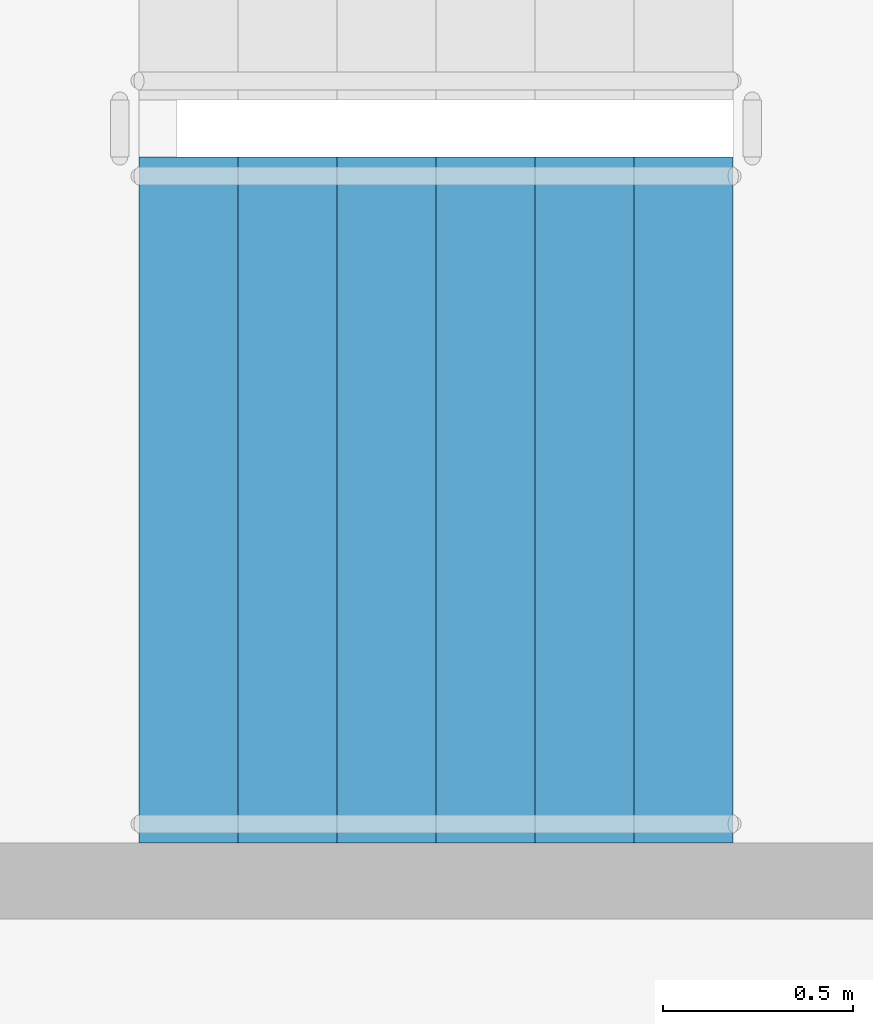
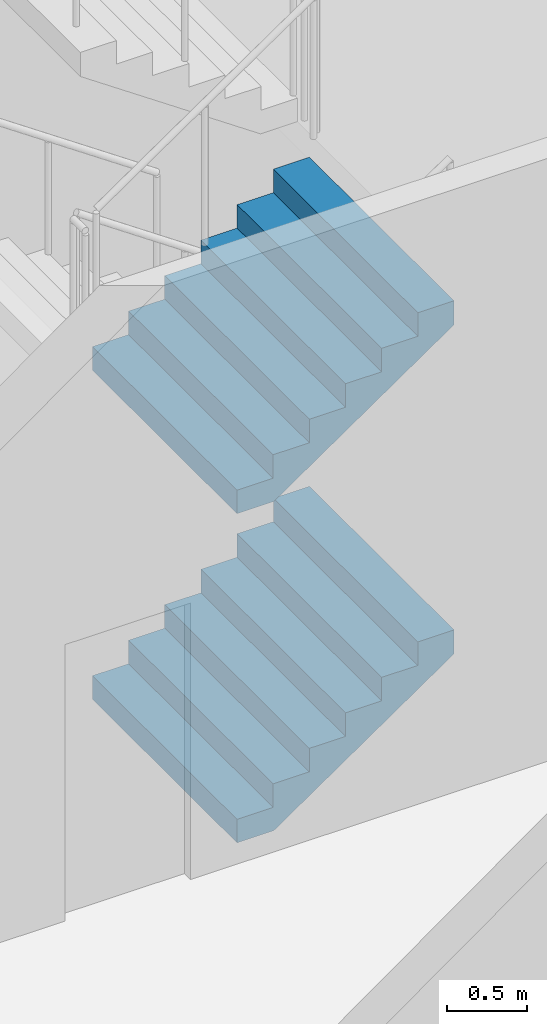
# One storey, part 48 of 59: 2 stair flights, 1 element without a shape of its own.
"""IFC4 building model written with IfcOpenShell, lengths in metres."""

from ifc_helpers import new_model, si_unit, direction, frame, origin, place, context, subcontext, project, spatial, faceted_brep, material, type_object, element, aggregate, save


model = new_model("IFC4")

# Units and contexts
model_context = context("Model", 3, precision=1e-05, world=origin(), true_north=direction((0.0, 1.0)))
body_context = subcontext(model_context, "Body", "Model", "MODEL_VIEW")
ifc_project = project(units=[si_unit("LENGTHUNIT", "METRE"), si_unit("AREAUNIT", "SQUARE_METRE"), si_unit("VOLUMEUNIT", "CUBIC_METRE"), si_unit("PLANEANGLEUNIT", "RADIAN"), si_unit("MASSUNIT", "GRAM", prefix="KILO")], contexts=[model_context])

# Site, building, storey
site_placement = place(None, origin())
site = spatial("IfcSite", under=ifc_project, at=site_placement, CompositionType="ELEMENT")
building_placement = place(site_placement, origin())
building = spatial("IfcBuilding", under=site, at=building_placement, Name="Ipe Terrace Towers", CompositionType="ELEMENT")
storey_placement = place(building_placement, frame((0.0, 0.0, 6.0)))
storey = spatial("IfcBuildingStorey", under=building, at=storey_placement, Name="L01", CompositionType="ELEMENT", Elevation=6.0)

# Stair, stair flights
ifc_material_1 = material(Name="Concrete C30/37", Category="concrete")
stair_type = type_object("IfcStairType", Name="Protected exit stair", PredefinedType="HALF_TURN_STAIR", material=ifc_material_1)
stair_placement = place(storey_placement, origin())
stair = element("IfcStair", 1, at=stair_placement, inside=storey, type_object=stair_type, Name="L01 Podium exit stair PS8", PredefinedType="HALF_TURN_STAIR")
ifc_material_2 = material(Name="Concrete C30/37", Category="concrete")
stair_flight_type = type_object("IfcStairFlightType", Name="Exit stair flight 1800", PredefinedType="STRAIGHT", material=ifc_material_2)
stair_flight_1_placement = place(storey_placement, frame((58.68994140625, 2.5, 0.0), z_axis=(0.0, 0.0, 1.0), x_axis=(1.0, 0.0, 0.0)))
stair_flight_1 = element("IfcStairFlight", 2, at=stair_flight_1_placement, type_object=stair_flight_type, Name="PS8 flight 1", NumberOfRisers=7, NumberOfTreads=6, PredefinedType="STRAIGHT", RiserHeight=0.178571429, TreadLength=0.26, context=body_context, shape_type="Brep", body=[
    faceted_brep([(0.264892578125, -0.89990234375, 0.0), (1.56005859375, -0.89990234375, 0.8896484375), (1.56005859375, -0.89990234375, 1.071533203125), (1.300048828125, -0.89990234375, 1.071533203125), (1.300048828125, -0.89990234375, 0.892822265625), (1.0400390625, -0.89990234375, 0.892822265625), (1.0400390625, -0.89990234375, 0.71435546875), (0.780029296875, -0.89990234375, 0.71435546875), (0.780029296875, -0.89990234375, 0.53564453125), (0.52001953125, -0.89990234375, 0.53564453125), (0.52001953125, -0.89990234375, 0.357177734375), (0.260009765625, -0.89990234375, 0.357177734375), (0.260009765625, -0.89990234375, 0.178466796875), (0.0, -0.89990234375, 0.178466796875), (0.0, -0.89990234375, 0.0), (0.0, 0.89990234375, 0.0), (0.0, 0.89990234375, 0.178466796875), (0.260009765625, 0.89990234375, 0.178466796875), (0.260009765625, 0.89990234375, 0.357177734375), (0.52001953125, 0.89990234375, 0.357177734375), (0.52001953125, 0.89990234375, 0.53564453125), (0.780029296875, 0.89990234375, 0.53564453125), (0.780029296875, 0.89990234375, 0.71435546875), (1.0400390625, 0.89990234375, 0.71435546875), (1.0400390625, 0.89990234375, 0.892822265625), (1.300048828125, 0.89990234375, 0.892822265625), (1.300048828125, 0.89990234375, 1.071533203125), (1.56005859375, 0.89990234375, 1.071533203125), (1.56005859375, 0.89990234375, 0.8896484375), (0.264892578125, 0.89990234375, 0.0), (0.0, -0.300048828125, 0.178466796875), (0.0, -0.1201171875, 0.178466796875), (0.0, -0.06005859375, 0.178466796875), (0.0, -0.030029296875, 0.178466796875), (0.0, -0.010009765625, 0.178466796875), (0.0, 0.0, 0.178466796875), (0.0, 0.010009765625, 0.178466796875), (0.0, 0.030029296875, 0.178466796875), (0.0, 0.06005859375, 0.178466796875), (0.0, 0.1201171875, 0.178466796875), (0.0, 0.300048828125, 0.178466796875), (0.0, 0.300048828125, 0.0), (0.0, 0.1201171875, 0.0), (0.0, 0.06005859375, 0.0), (0.0, 0.030029296875, 0.0), (0.0, 0.010009765625, 0.0), (0.0, 0.0, 0.0), (0.0, -0.010009765625, 0.0), (0.0, -0.030029296875, 0.0), (0.0, -0.06005859375, 0.0), (0.0, -0.1201171875, 0.0), (0.0, -0.300048828125, 0.0), (0.260009765625, -0.300048828125, 0.178466796875), (0.260009765625, -0.1201171875, 0.178466796875), (0.260009765625, -0.06005859375, 0.178466796875), (0.260009765625, -0.030029296875, 0.178466796875), (0.260009765625, -0.010009765625, 0.178466796875), (0.260009765625, 0.0, 0.178466796875), (0.260009765625, 0.010009765625, 0.178466796875), (0.260009765625, 0.030029296875, 0.178466796875), (0.260009765625, 0.06005859375, 0.178466796875), (0.260009765625, 0.1201171875, 0.178466796875), (0.260009765625, 0.300048828125, 0.178466796875), (0.260009765625, -0.300048828125, 0.357177734375), (0.260009765625, -0.1201171875, 0.357177734375), (0.260009765625, -0.06005859375, 0.357177734375), (0.260009765625, -0.030029296875, 0.357177734375), (0.260009765625, -0.010009765625, 0.357177734375), (0.260009765625, 0.0, 0.357177734375), (0.260009765625, 0.010009765625, 0.357177734375), (0.260009765625, 0.030029296875, 0.357177734375), (0.260009765625, 0.06005859375, 0.357177734375), (0.260009765625, 0.1201171875, 0.357177734375), (0.260009765625, 0.300048828125, 0.357177734375), (0.52001953125, -0.300048828125, 0.357177734375), (0.52001953125, -0.1201171875, 0.357177734375), (0.52001953125, -0.06005859375, 0.357177734375), (0.52001953125, -0.030029296875, 0.357177734375), (0.52001953125, -0.010009765625, 0.357177734375), (0.52001953125, 0.0, 0.357177734375), (0.52001953125, 0.010009765625, 0.357177734375), (0.52001953125, 0.030029296875, 0.357177734375), (0.52001953125, 0.06005859375, 0.357177734375), (0.52001953125, 0.1201171875, 0.357177734375), (0.52001953125, 0.300048828125, 0.357177734375), (0.52001953125, -0.300048828125, 0.53564453125), (0.52001953125, -0.1201171875, 0.53564453125), (0.52001953125, -0.06005859375, 0.53564453125), (0.52001953125, -0.030029296875, 0.53564453125), (0.52001953125, -0.010009765625, 0.53564453125), (0.52001953125, 0.0, 0.53564453125), (0.52001953125, 0.010009765625, 0.53564453125), (0.52001953125, 0.030029296875, 0.53564453125), (0.52001953125, 0.06005859375, 0.53564453125), (0.52001953125, 0.1201171875, 0.53564453125), (0.52001953125, 0.300048828125, 0.53564453125), (0.780029296875, -0.300048828125, 0.53564453125), (0.780029296875, -0.1201171875, 0.53564453125), (0.780029296875, -0.06005859375, 0.53564453125), (0.780029296875, -0.030029296875, 0.53564453125), (0.780029296875, -0.010009765625, 0.53564453125), (0.780029296875, 0.0, 0.53564453125), (0.780029296875, 0.010009765625, 0.53564453125), (0.780029296875, 0.030029296875, 0.53564453125), (0.780029296875, 0.06005859375, 0.53564453125), (0.780029296875, 0.1201171875, 0.53564453125), (0.780029296875, 0.300048828125, 0.53564453125), (0.780029296875, -0.300048828125, 0.71435546875), (0.780029296875, -0.1201171875, 0.71435546875), (0.780029296875, -0.06005859375, 0.71435546875), (0.780029296875, -0.030029296875, 0.71435546875), (0.780029296875, -0.010009765625, 0.71435546875), (0.780029296875, 0.0, 0.71435546875), (0.780029296875, 0.010009765625, 0.71435546875), (0.780029296875, 0.030029296875, 0.71435546875), (0.780029296875, 0.06005859375, 0.71435546875), (0.780029296875, 0.1201171875, 0.71435546875), (0.780029296875, 0.300048828125, 0.71435546875), (1.0400390625, -0.300048828125, 0.71435546875), (1.0400390625, -0.1201171875, 0.71435546875), (1.0400390625, -0.06005859375, 0.71435546875), (1.0400390625, -0.030029296875, 0.71435546875), (1.0400390625, -0.010009765625, 0.71435546875), (1.0400390625, 0.0, 0.71435546875), (1.0400390625, 0.010009765625, 0.71435546875), (1.0400390625, 0.030029296875, 0.71435546875), (1.0400390625, 0.06005859375, 0.71435546875), (1.0400390625, 0.1201171875, 0.71435546875), (1.0400390625, 0.300048828125, 0.71435546875), (1.0400390625, -0.300048828125, 0.892822265625), (1.0400390625, -0.1201171875, 0.892822265625), (1.0400390625, -0.06005859375, 0.892822265625), (1.0400390625, -0.030029296875, 0.892822265625), (1.0400390625, -0.010009765625, 0.892822265625), (1.0400390625, 0.0, 0.892822265625), (1.0400390625, 0.010009765625, 0.892822265625), (1.0400390625, 0.030029296875, 0.892822265625), (1.0400390625, 0.06005859375, 0.892822265625), (1.0400390625, 0.1201171875, 0.892822265625), (1.0400390625, 0.300048828125, 0.892822265625), (1.300048828125, -0.300048828125, 0.892822265625), (1.300048828125, -0.1201171875, 0.892822265625), (1.300048828125, -0.06005859375, 0.892822265625), (1.300048828125, -0.030029296875, 0.892822265625), (1.300048828125, -0.010009765625, 0.892822265625), (1.300048828125, 0.0, 0.892822265625), (1.300048828125, 0.010009765625, 0.892822265625), (1.300048828125, 0.030029296875, 0.892822265625), (1.300048828125, 0.06005859375, 0.892822265625), (1.300048828125, 0.1201171875, 0.892822265625), (1.300048828125, 0.300048828125, 0.892822265625), (1.300048828125, -0.300048828125, 1.071533203125), (1.300048828125, -0.1201171875, 1.071533203125), (1.300048828125, -0.06005859375, 1.071533203125), (1.300048828125, -0.030029296875, 1.071533203125), (1.300048828125, -0.010009765625, 1.071533203125), (1.300048828125, 0.0, 1.071533203125), (1.300048828125, 0.010009765625, 1.071533203125), (1.300048828125, 0.030029296875, 1.071533203125), (1.300048828125, 0.06005859375, 1.071533203125), (1.300048828125, 0.1201171875, 1.071533203125), (1.300048828125, 0.300048828125, 1.071533203125), (1.56005859375, -0.300048828125, 1.071533203125), (1.56005859375, -0.1201171875, 1.071533203125), (1.56005859375, -0.06005859375, 1.071533203125), (1.56005859375, -0.030029296875, 1.071533203125), (1.56005859375, -0.010009765625, 1.071533203125), (1.56005859375, 0.0, 1.071533203125), (1.56005859375, 0.010009765625, 1.071533203125), (1.56005859375, 0.030029296875, 1.071533203125), (1.56005859375, 0.06005859375, 1.071533203125), (1.56005859375, 0.1201171875, 1.071533203125), (1.56005859375, 0.300048828125, 1.071533203125), (1.56005859375, -0.300048828125, 0.8896484375), (1.56005859375, -0.1201171875, 0.8896484375), (1.56005859375, -0.06005859375, 0.8896484375), (1.56005859375, -0.030029296875, 0.8896484375), (1.56005859375, -0.010009765625, 0.8896484375), (1.56005859375, 0.0, 0.8896484375), (1.56005859375, 0.010009765625, 0.8896484375), (1.56005859375, 0.030029296875, 0.8896484375), (1.56005859375, 0.06005859375, 0.8896484375), (1.56005859375, 0.1201171875, 0.8896484375), (1.56005859375, 0.300048828125, 0.8896484375), (0.264892578125, -0.300048828125, 0.0), (0.264892578125, -0.1201171875, 0.0), (0.264892578125, -0.06005859375, 0.0), (0.264892578125, -0.030029296875, 0.0), (0.264892578125, -0.010009765625, 0.0), (0.264892578125, 0.0, 0.0), (0.264892578125, 0.010009765625, 0.0), (0.264892578125, 0.030029296875, 0.0), (0.264892578125, 0.06005859375, 0.0), (0.264892578125, 0.1201171875, 0.0), (0.264892578125, 0.300048828125, 0.0)], [[[0, 1, 2, 3, 4, 5, 6, 7, 8, 9, 10, 11, 12, 13, 14]], [[15, 16, 17, 18, 19, 20, 21, 22, 23, 24, 25, 26, 27, 28, 29]], [[13, 30, 31, 32, 33, 34, 35, 36, 37, 38, 39, 40, 16, 15, 41, 42, 43, 44, 45, 46, 47, 48, 49, 50, 51, 14]], [[12, 52, 53, 54, 55, 56, 57, 58, 59, 60, 61, 62, 17, 16, 40, 39, 38, 37, 36, 35, 34, 33, 32, 31, 30, 13]], [[11, 63, 64, 65, 66, 67, 68, 69, 70, 71, 72, 73, 18, 17, 62, 61, 60, 59, 58, 57, 56, 55, 54, 53, 52, 12]], [[10, 74, 75, 76, 77, 78, 79, 80, 81, 82, 83, 84, 19, 18, 73, 72, 71, 70, 69, 68, 67, 66, 65, 64, 63, 11]], [[9, 85, 86, 87, 88, 89, 90, 91, 92, 93, 94, 95, 20, 19, 84, 83, 82, 81, 80, 79, 78, 77, 76, 75, 74, 10]], [[8, 96, 97, 98, 99, 100, 101, 102, 103, 104, 105, 106, 21, 20, 95, 94, 93, 92, 91, 90, 89, 88, 87, 86, 85, 9]], [[7, 107, 108, 109, 110, 111, 112, 113, 114, 115, 116, 117, 22, 21, 106, 105, 104, 103, 102, 101, 100, 99, 98, 97, 96, 8]], [[6, 118, 119, 120, 121, 122, 123, 124, 125, 126, 127, 128, 23, 22, 117, 116, 115, 114, 113, 112, 111, 110, 109, 108, 107, 7]], [[5, 129, 130, 131, 132, 133, 134, 135, 136, 137, 138, 139, 24, 23, 128, 127, 126, 125, 124, 123, 122, 121, 120, 119, 118, 6]], [[4, 140, 141, 142, 143, 144, 145, 146, 147, 148, 149, 150, 25, 24, 139, 138, 137, 136, 135, 134, 133, 132, 131, 130, 129, 5]], [[3, 151, 152, 153, 154, 155, 156, 157, 158, 159, 160, 161, 26, 25, 150, 149, 148, 147, 146, 145, 144, 143, 142, 141, 140, 4]], [[2, 162, 163, 164, 165, 166, 167, 168, 169, 170, 171, 172, 27, 26, 161, 160, 159, 158, 157, 156, 155, 154, 153, 152, 151, 3]], [[1, 173, 174, 175, 176, 177, 178, 179, 180, 181, 182, 183, 28, 27, 172, 171, 170, 169, 168, 167, 166, 165, 164, 163, 162, 2]], [[0, 184, 185, 186, 187, 188, 189, 190, 191, 192, 193, 194, 29, 28, 183, 182, 181, 180, 179, 178, 177, 176, 175, 174, 173, 1]], [[14, 51, 50, 49, 48, 47, 46, 45, 44, 43, 42, 41, 15, 29, 194, 193, 192, 191, 190, 189, 188, 187, 186, 185, 184, 0]]]),
])
stair_flight_2_placement = place(storey_placement, frame((58.68994140625, 2.5, 2.5), z_axis=(0.0, 0.0, 1.0), x_axis=(1.0, 0.0, 0.0)))
stair_flight_2 = element("IfcStairFlight", 3, at=stair_flight_2_placement, type_object=stair_flight_type, Name="PS8 flight 3", NumberOfRisers=7, NumberOfTreads=6, PredefinedType="STRAIGHT", RiserHeight=0.178571429, TreadLength=0.26, context=body_context, shape_type="Brep", body=[
    faceted_brep([(0.264892578125, -0.89990234375, 0.0), (1.56005859375, -0.89990234375, 0.8896484375), (1.56005859375, -0.89990234375, 1.071533203125), (1.300048828125, -0.89990234375, 1.071533203125), (1.300048828125, -0.89990234375, 0.892822265625), (1.0400390625, -0.89990234375, 0.892822265625), (1.0400390625, -0.89990234375, 0.71435546875), (0.780029296875, -0.89990234375, 0.71435546875), (0.780029296875, -0.89990234375, 0.53564453125), (0.52001953125, -0.89990234375, 0.53564453125), (0.52001953125, -0.89990234375, 0.357177734375), (0.260009765625, -0.89990234375, 0.357177734375), (0.260009765625, -0.89990234375, 0.178466796875), (0.0, -0.89990234375, 0.178466796875), (0.0, -0.89990234375, 0.0), (0.0, 0.89990234375, 0.0), (0.0, 0.89990234375, 0.178466796875), (0.260009765625, 0.89990234375, 0.178466796875), (0.260009765625, 0.89990234375, 0.357177734375), (0.52001953125, 0.89990234375, 0.357177734375), (0.52001953125, 0.89990234375, 0.53564453125), (0.780029296875, 0.89990234375, 0.53564453125), (0.780029296875, 0.89990234375, 0.71435546875), (1.0400390625, 0.89990234375, 0.71435546875), (1.0400390625, 0.89990234375, 0.892822265625), (1.300048828125, 0.89990234375, 0.892822265625), (1.300048828125, 0.89990234375, 1.071533203125), (1.56005859375, 0.89990234375, 1.071533203125), (1.56005859375, 0.89990234375, 0.8896484375), (0.264892578125, 0.89990234375, 0.0), (0.0, -0.300048828125, 0.178466796875), (0.0, -0.1201171875, 0.178466796875), (0.0, -0.06005859375, 0.178466796875), (0.0, -0.030029296875, 0.178466796875), (0.0, -0.010009765625, 0.178466796875), (0.0, 0.0, 0.178466796875), (0.0, 0.010009765625, 0.178466796875), (0.0, 0.030029296875, 0.178466796875), (0.0, 0.06005859375, 0.178466796875), (0.0, 0.1201171875, 0.178466796875), (0.0, 0.300048828125, 0.178466796875), (0.0, 0.300048828125, 0.0), (0.0, 0.1201171875, 0.0), (0.0, 0.06005859375, 0.0), (0.0, 0.030029296875, 0.0), (0.0, 0.010009765625, 0.0), (0.0, 0.0, 0.0), (0.0, -0.010009765625, 0.0), (0.0, -0.030029296875, 0.0), (0.0, -0.06005859375, 0.0), (0.0, -0.1201171875, 0.0), (0.0, -0.300048828125, 0.0), (0.260009765625, -0.300048828125, 0.178466796875), (0.260009765625, -0.1201171875, 0.178466796875), (0.260009765625, -0.06005859375, 0.178466796875), (0.260009765625, -0.030029296875, 0.178466796875), (0.260009765625, -0.010009765625, 0.178466796875), (0.260009765625, 0.0, 0.178466796875), (0.260009765625, 0.010009765625, 0.178466796875), (0.260009765625, 0.030029296875, 0.178466796875), (0.260009765625, 0.06005859375, 0.178466796875), (0.260009765625, 0.1201171875, 0.178466796875), (0.260009765625, 0.300048828125, 0.178466796875), (0.260009765625, -0.300048828125, 0.357177734375), (0.260009765625, -0.1201171875, 0.357177734375), (0.260009765625, -0.06005859375, 0.357177734375), (0.260009765625, -0.030029296875, 0.357177734375), (0.260009765625, -0.010009765625, 0.357177734375), (0.260009765625, 0.0, 0.357177734375), (0.260009765625, 0.010009765625, 0.357177734375), (0.260009765625, 0.030029296875, 0.357177734375), (0.260009765625, 0.06005859375, 0.357177734375), (0.260009765625, 0.1201171875, 0.357177734375), (0.260009765625, 0.300048828125, 0.357177734375), (0.52001953125, -0.300048828125, 0.357177734375), (0.52001953125, -0.1201171875, 0.357177734375), (0.52001953125, -0.06005859375, 0.357177734375), (0.52001953125, -0.030029296875, 0.357177734375), (0.52001953125, -0.010009765625, 0.357177734375), (0.52001953125, 0.0, 0.357177734375), (0.52001953125, 0.010009765625, 0.357177734375), (0.52001953125, 0.030029296875, 0.357177734375), (0.52001953125, 0.06005859375, 0.357177734375), (0.52001953125, 0.1201171875, 0.357177734375), (0.52001953125, 0.300048828125, 0.357177734375), (0.52001953125, -0.300048828125, 0.53564453125), (0.52001953125, -0.1201171875, 0.53564453125), (0.52001953125, -0.06005859375, 0.53564453125), (0.52001953125, -0.030029296875, 0.53564453125), (0.52001953125, -0.010009765625, 0.53564453125), (0.52001953125, 0.0, 0.53564453125), (0.52001953125, 0.010009765625, 0.53564453125), (0.52001953125, 0.030029296875, 0.53564453125), (0.52001953125, 0.06005859375, 0.53564453125), (0.52001953125, 0.1201171875, 0.53564453125), (0.52001953125, 0.300048828125, 0.53564453125), (0.780029296875, -0.300048828125, 0.53564453125), (0.780029296875, -0.1201171875, 0.53564453125), (0.780029296875, -0.06005859375, 0.53564453125), (0.780029296875, -0.030029296875, 0.53564453125), (0.780029296875, -0.010009765625, 0.53564453125), (0.780029296875, 0.0, 0.53564453125), (0.780029296875, 0.010009765625, 0.53564453125), (0.780029296875, 0.030029296875, 0.53564453125), (0.780029296875, 0.06005859375, 0.53564453125), (0.780029296875, 0.1201171875, 0.53564453125), (0.780029296875, 0.300048828125, 0.53564453125), (0.780029296875, -0.300048828125, 0.71435546875), (0.780029296875, -0.1201171875, 0.71435546875), (0.780029296875, -0.06005859375, 0.71435546875), (0.780029296875, -0.030029296875, 0.71435546875), (0.780029296875, -0.010009765625, 0.71435546875), (0.780029296875, 0.0, 0.71435546875), (0.780029296875, 0.010009765625, 0.71435546875), (0.780029296875, 0.030029296875, 0.71435546875), (0.780029296875, 0.06005859375, 0.71435546875), (0.780029296875, 0.1201171875, 0.71435546875), (0.780029296875, 0.300048828125, 0.71435546875), (1.0400390625, -0.300048828125, 0.71435546875), (1.0400390625, -0.1201171875, 0.71435546875), (1.0400390625, -0.06005859375, 0.71435546875), (1.0400390625, -0.030029296875, 0.71435546875), (1.0400390625, -0.010009765625, 0.71435546875), (1.0400390625, 0.0, 0.71435546875), (1.0400390625, 0.010009765625, 0.71435546875), (1.0400390625, 0.030029296875, 0.71435546875), (1.0400390625, 0.06005859375, 0.71435546875), (1.0400390625, 0.1201171875, 0.71435546875), (1.0400390625, 0.300048828125, 0.71435546875), (1.0400390625, -0.300048828125, 0.892822265625), (1.0400390625, -0.1201171875, 0.892822265625), (1.0400390625, -0.06005859375, 0.892822265625), (1.0400390625, -0.030029296875, 0.892822265625), (1.0400390625, -0.010009765625, 0.892822265625), (1.0400390625, 0.0, 0.892822265625), (1.0400390625, 0.010009765625, 0.892822265625), (1.0400390625, 0.030029296875, 0.892822265625), (1.0400390625, 0.06005859375, 0.892822265625), (1.0400390625, 0.1201171875, 0.892822265625), (1.0400390625, 0.300048828125, 0.892822265625), (1.300048828125, -0.300048828125, 0.892822265625), (1.300048828125, -0.1201171875, 0.892822265625), (1.300048828125, -0.06005859375, 0.892822265625), (1.300048828125, -0.030029296875, 0.892822265625), (1.300048828125, -0.010009765625, 0.892822265625), (1.300048828125, 0.0, 0.892822265625), (1.300048828125, 0.010009765625, 0.892822265625), (1.300048828125, 0.030029296875, 0.892822265625), (1.300048828125, 0.06005859375, 0.892822265625), (1.300048828125, 0.1201171875, 0.892822265625), (1.300048828125, 0.300048828125, 0.892822265625), (1.300048828125, -0.300048828125, 1.071533203125), (1.300048828125, -0.1201171875, 1.071533203125), (1.300048828125, -0.06005859375, 1.071533203125), (1.300048828125, -0.030029296875, 1.071533203125), (1.300048828125, -0.010009765625, 1.071533203125), (1.300048828125, 0.0, 1.071533203125), (1.300048828125, 0.010009765625, 1.071533203125), (1.300048828125, 0.030029296875, 1.071533203125), (1.300048828125, 0.06005859375, 1.071533203125), (1.300048828125, 0.1201171875, 1.071533203125), (1.300048828125, 0.300048828125, 1.071533203125), (1.56005859375, -0.300048828125, 1.071533203125), (1.56005859375, -0.1201171875, 1.071533203125), (1.56005859375, -0.06005859375, 1.071533203125), (1.56005859375, -0.030029296875, 1.071533203125), (1.56005859375, -0.010009765625, 1.071533203125), (1.56005859375, 0.0, 1.071533203125), (1.56005859375, 0.010009765625, 1.071533203125), (1.56005859375, 0.030029296875, 1.071533203125), (1.56005859375, 0.06005859375, 1.071533203125), (1.56005859375, 0.1201171875, 1.071533203125), (1.56005859375, 0.300048828125, 1.071533203125), (1.56005859375, -0.300048828125, 0.8896484375), (1.56005859375, -0.1201171875, 0.8896484375), (1.56005859375, -0.06005859375, 0.8896484375), (1.56005859375, -0.030029296875, 0.8896484375), (1.56005859375, -0.010009765625, 0.8896484375), (1.56005859375, 0.0, 0.8896484375), (1.56005859375, 0.010009765625, 0.8896484375), (1.56005859375, 0.030029296875, 0.8896484375), (1.56005859375, 0.06005859375, 0.8896484375), (1.56005859375, 0.1201171875, 0.8896484375), (1.56005859375, 0.300048828125, 0.8896484375), (0.264892578125, -0.300048828125, 0.0), (0.264892578125, -0.1201171875, 0.0), (0.264892578125, -0.06005859375, 0.0), (0.264892578125, -0.030029296875, 0.0), (0.264892578125, -0.010009765625, 0.0), (0.264892578125, 0.0, 0.0), (0.264892578125, 0.010009765625, 0.0), (0.264892578125, 0.030029296875, 0.0), (0.264892578125, 0.06005859375, 0.0), (0.264892578125, 0.1201171875, 0.0), (0.264892578125, 0.300048828125, 0.0)], [[[0, 1, 2, 3, 4, 5, 6, 7, 8, 9, 10, 11, 12, 13, 14]], [[15, 16, 17, 18, 19, 20, 21, 22, 23, 24, 25, 26, 27, 28, 29]], [[13, 30, 31, 32, 33, 34, 35, 36, 37, 38, 39, 40, 16, 15, 41, 42, 43, 44, 45, 46, 47, 48, 49, 50, 51, 14]], [[12, 52, 53, 54, 55, 56, 57, 58, 59, 60, 61, 62, 17, 16, 40, 39, 38, 37, 36, 35, 34, 33, 32, 31, 30, 13]], [[11, 63, 64, 65, 66, 67, 68, 69, 70, 71, 72, 73, 18, 17, 62, 61, 60, 59, 58, 57, 56, 55, 54, 53, 52, 12]], [[10, 74, 75, 76, 77, 78, 79, 80, 81, 82, 83, 84, 19, 18, 73, 72, 71, 70, 69, 68, 67, 66, 65, 64, 63, 11]], [[9, 85, 86, 87, 88, 89, 90, 91, 92, 93, 94, 95, 20, 19, 84, 83, 82, 81, 80, 79, 78, 77, 76, 75, 74, 10]], [[8, 96, 97, 98, 99, 100, 101, 102, 103, 104, 105, 106, 21, 20, 95, 94, 93, 92, 91, 90, 89, 88, 87, 86, 85, 9]], [[7, 107, 108, 109, 110, 111, 112, 113, 114, 115, 116, 117, 22, 21, 106, 105, 104, 103, 102, 101, 100, 99, 98, 97, 96, 8]], [[6, 118, 119, 120, 121, 122, 123, 124, 125, 126, 127, 128, 23, 22, 117, 116, 115, 114, 113, 112, 111, 110, 109, 108, 107, 7]], [[5, 129, 130, 131, 132, 133, 134, 135, 136, 137, 138, 139, 24, 23, 128, 127, 126, 125, 124, 123, 122, 121, 120, 119, 118, 6]], [[4, 140, 141, 142, 143, 144, 145, 146, 147, 148, 149, 150, 25, 24, 139, 138, 137, 136, 135, 134, 133, 132, 131, 130, 129, 5]], [[3, 151, 152, 153, 154, 155, 156, 157, 158, 159, 160, 161, 26, 25, 150, 149, 148, 147, 146, 145, 144, 143, 142, 141, 140, 4]], [[2, 162, 163, 164, 165, 166, 167, 168, 169, 170, 171, 172, 27, 26, 161, 160, 159, 158, 157, 156, 155, 154, 153, 152, 151, 3]], [[1, 173, 174, 175, 176, 177, 178, 179, 180, 181, 182, 183, 28, 27, 172, 171, 170, 169, 168, 167, 166, 165, 164, 163, 162, 2]], [[0, 184, 185, 186, 187, 188, 189, 190, 191, 192, 193, 194, 29, 28, 183, 182, 181, 180, 179, 178, 177, 176, 175, 174, 173, 1]], [[14, 51, 50, 49, 48, 47, 46, 45, 44, 43, 42, 41, 15, 29, 194, 193, 192, 191, 190, 189, 188, 187, 186, 185, 184, 0]]]),
])
aggregate(stair, [stair_flight_1, stair_flight_2])

save(model, "model.ifc")
